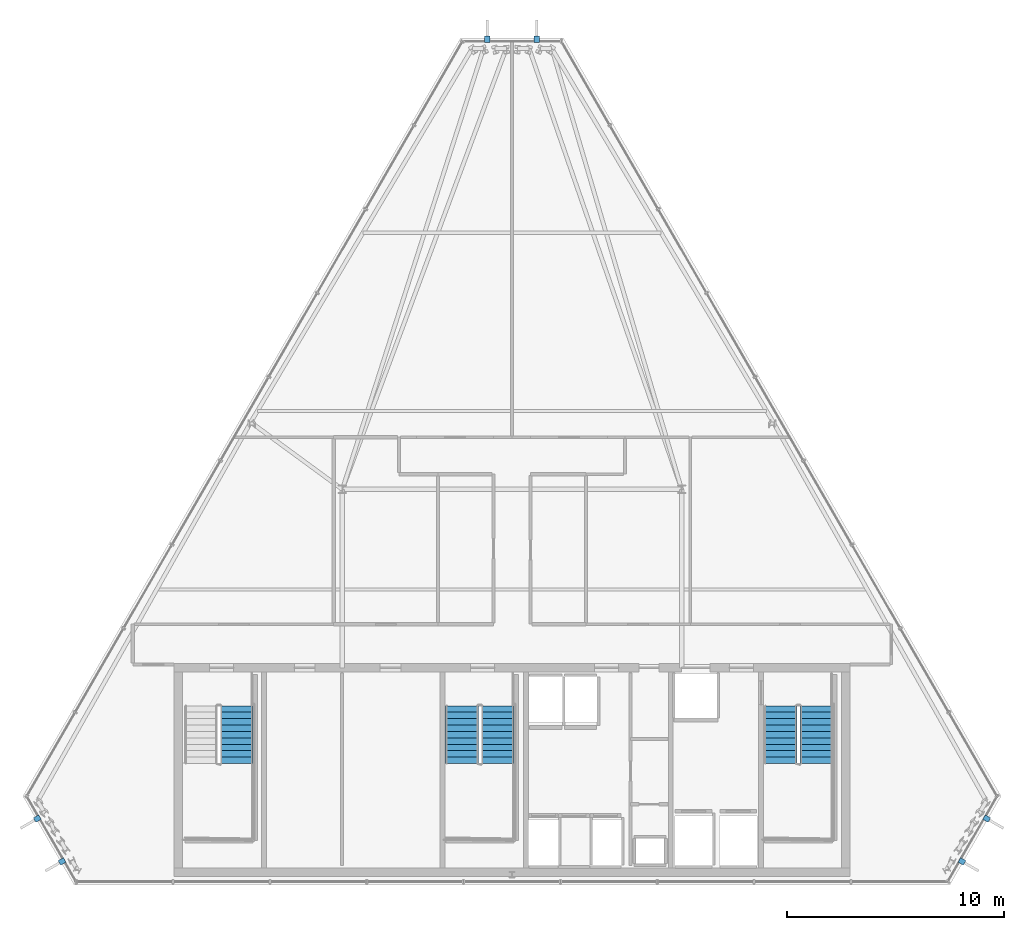
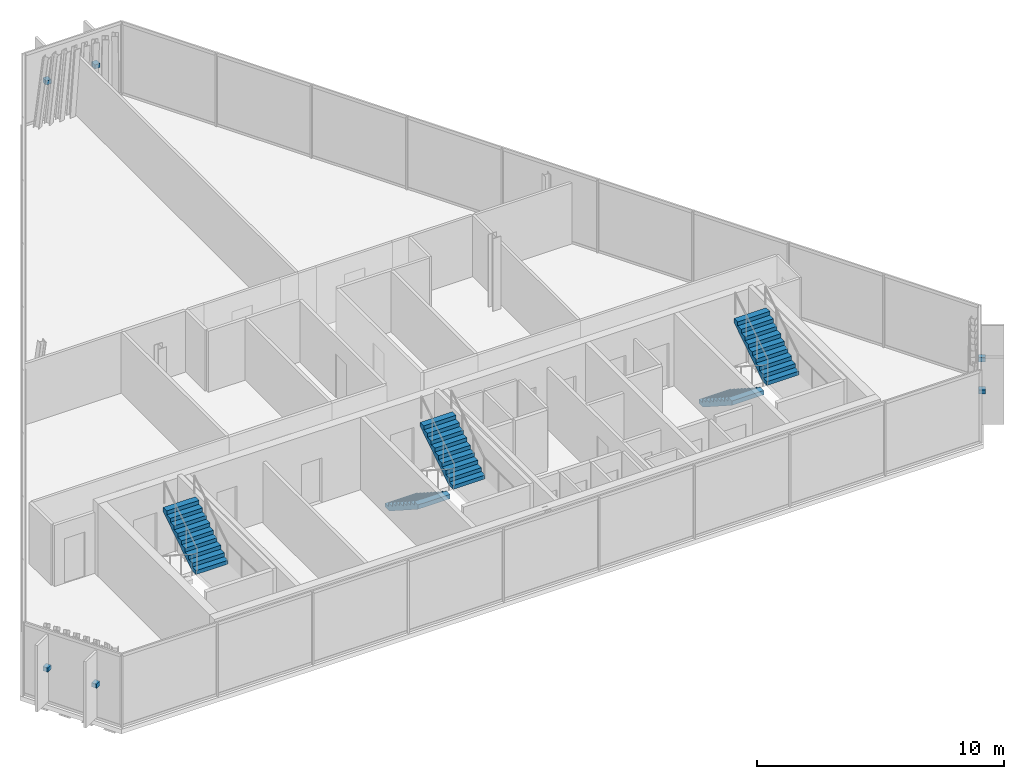
# One storey, part 29 of 32: 6 discrete accessories, 5 stair flights, 3 elements without a shape of their own.
"""IFC4 building model written with IfcOpenShell, lengths in metres."""

from ifc_helpers import new_model, si_unit, direction, frame, origin, origin_2d, place, context, subcontext, project, spatial, polyline, rectangle, outline, extrude, material, type_object, element, aggregate, save


model = new_model("IFC4")

# Units and contexts
model_context = context("Model", 3, precision=1e-05, world=origin(), true_north=direction((0.0, 1.0)))
body_context = subcontext(model_context, "Body", "Model", "MODEL_VIEW")
ifc_project = project(units=[si_unit("LENGTHUNIT", "METRE"), si_unit("AREAUNIT", "SQUARE_METRE"), si_unit("VOLUMEUNIT", "CUBIC_METRE"), si_unit("PLANEANGLEUNIT", "RADIAN"), si_unit("MASSUNIT", "GRAM", prefix="KILO")], contexts=[model_context])

# Site, building, storey
site_placement = place(None, origin())
site = spatial("IfcSite", under=ifc_project, at=site_placement, CompositionType="ELEMENT")
building_placement = place(site_placement, origin())
building = spatial("IfcBuilding", under=site, at=building_placement, Name="Ndaravel Arena Tower", CompositionType="ELEMENT")
storey_placement = place(building_placement, frame((0.0, 0.0, 290.89990234375)))
storey = spatial("IfcBuildingStorey", under=building, at=storey_placement, Name="L71", CompositionType="ELEMENT", Elevation=290.89990234375)

# Stair, stair flight
ifc_material_1 = material(Name="Concrete C40/50", Category="concrete")
stair_type = type_object("IfcStairType", Name="STAIR-CORE-HT", PredefinedType="HALF_TURN_STAIR", material=ifc_material_1)
stair_1_placement = place(storey_placement, origin())
stair_1 = element("IfcStair", 1, at=stair_1_placement, inside=storey, type_object=stair_type, Name="L71 ST-1", PredefinedType="HALF_TURN_STAIR")
ifc_material_2 = material(Name="Concrete C40/50", Category="concrete")
stair_flight_type = type_object("IfcStairFlightType", Name="SFLIGHT-CORE-1680", PredefinedType="STRAIGHT", material=ifc_material_2)
stair_flight_1_placement = place(storey_placement, frame((29.340087890625, 10.594970703125, 1.900146484375), z_axis=(0.0, 0.0, 1.0), x_axis=(0.0, 1.0, 0.0)))
stair_flight_1 = element("IfcStairFlight", 2, at=stair_flight_1_placement, type_object=stair_flight_type, Name="ST-1 flight 2", NumberOfRisers=10, NumberOfTreads=9, PredefinedType="STRAIGHT", RiserHeight=0.19, TreadLength=0.295, context=body_context, shape_type="SweptSolid", body=[
    extrude(outline(polyline([(0.0, 0.0), (0.0, 0.18994140625), (0.294921875, 0.18994140625), (0.294921875, 0.3798828125), (0.590087890625, 0.3798828125), (0.590087890625, 0.570068359375), (0.885009765625, 0.570068359375), (0.885009765625, 0.760009765625), (1.179931640625, 0.760009765625), (1.179931640625, 0.949951171875), (1.47509765625, 0.949951171875), (1.47509765625, 1.139892578125), (1.77001953125, 1.139892578125), (1.77001953125, 1.330078125), (2.06494140625, 1.330078125), (2.06494140625, 1.52001953125), (2.360107421875, 1.52001953125), (2.360107421875, 1.7099609375), (2.655029296875, 1.7099609375), (2.655029296875, 1.89990234375), (2.655029296875, 1.49609375), (0.332275390625, 0.0), (0.0, 0.0)])), frame((0.0, 0.75, 0.0), z_axis=(0.0, -1.0, 0.0), x_axis=(1.0, 0.0, 0.0)), (0.0, 0.0, 1.0), 1.5),
])
aggregate(stair_1, [stair_flight_1])

# Stair, stair flights
stair_2_placement = place(storey_placement, origin())
stair_2 = element("IfcStair", 3, at=stair_2_placement, inside=storey, type_object=stair_type, Name="L71 ST-2", PredefinedType="HALF_TURN_STAIR")
stair_flight_2_placement = place(storey_placement, frame((39.699951171875, 13.25, 0.0), z_axis=(0.0, 0.0, 1.0), x_axis=(0.0, -1.0, 0.0)))
stair_flight_2 = element("IfcStairFlight", 4, at=stair_flight_2_placement, type_object=stair_flight_type, Name="ST-2 flight 1", NumberOfRisers=10, NumberOfTreads=9, PredefinedType="STRAIGHT", RiserHeight=0.19, TreadLength=0.295, context=body_context, shape_type="SweptSolid", body=[
    extrude(outline(polyline([(0.0, 0.0), (0.0, 0.18994140625), (0.294921875, 0.18994140625), (0.294921875, 0.3798828125), (0.590087890625, 0.3798828125), (0.590087890625, 0.570068359375), (0.885009765625, 0.570068359375), (0.885009765625, 0.760009765625), (1.179931640625, 0.760009765625), (1.179931640625, 0.949951171875), (1.47509765625, 0.949951171875), (1.47509765625, 1.139892578125), (1.77001953125, 1.139892578125), (1.77001953125, 1.330078125), (2.06494140625, 1.330078125), (2.06494140625, 1.52001953125), (2.360107421875, 1.52001953125), (2.360107421875, 1.7099609375), (2.655029296875, 1.7099609375), (2.655029296875, 1.89990234375), (2.655029296875, 1.49609375), (0.332275390625, 0.0), (0.0, 0.0)])), frame((0.0, 0.75, 0.0), z_axis=(0.0, -1.0, 0.0), x_axis=(1.0, 0.0, 0.0)), (0.0, 0.0, 1.0), 1.5),
])
stair_flight_3_placement = place(storey_placement, frame((41.340087890625, 10.594970703125, 1.900146484375), z_axis=(0.0, 0.0, 1.0), x_axis=(0.0, 1.0, 0.0)))
stair_flight_3 = element("IfcStairFlight", 5, at=stair_flight_3_placement, type_object=stair_flight_type, Name="ST-2 flight 2", NumberOfRisers=10, NumberOfTreads=9, PredefinedType="STRAIGHT", RiserHeight=0.19, TreadLength=0.295, context=body_context, shape_type="SweptSolid", body=[
    extrude(outline(polyline([(0.0, 0.0), (0.0, 0.18994140625), (0.294921875, 0.18994140625), (0.294921875, 0.3798828125), (0.590087890625, 0.3798828125), (0.590087890625, 0.570068359375), (0.885009765625, 0.570068359375), (0.885009765625, 0.760009765625), (1.179931640625, 0.760009765625), (1.179931640625, 0.949951171875), (1.47509765625, 0.949951171875), (1.47509765625, 1.139892578125), (1.77001953125, 1.139892578125), (1.77001953125, 1.330078125), (2.06494140625, 1.330078125), (2.06494140625, 1.52001953125), (2.360107421875, 1.52001953125), (2.360107421875, 1.7099609375), (2.655029296875, 1.7099609375), (2.655029296875, 1.89990234375), (2.655029296875, 1.49609375), (0.332275390625, 0.0), (0.0, 0.0)])), frame((0.0, 0.75, 0.0), z_axis=(0.0, -1.0, 0.0), x_axis=(1.0, 0.0, 0.0)), (0.0, 0.0, 1.0), 1.5),
])
aggregate(stair_2, [stair_flight_2, stair_flight_3])

stair_3_placement = place(storey_placement, origin())
stair_3 = element("IfcStair", 6, at=stair_3_placement, inside=storey, type_object=stair_type, Name="L71 ST-3", PredefinedType="HALF_TURN_STAIR")
stair_flight_4_placement = place(storey_placement, frame((54.35009765625, 13.25, 0.0), z_axis=(0.0, 0.0, 1.0), x_axis=(0.0, -1.0, 0.0)))
stair_flight_4 = element("IfcStairFlight", 7, at=stair_flight_4_placement, type_object=stair_flight_type, Name="ST-3 flight 1", NumberOfRisers=10, NumberOfTreads=9, PredefinedType="STRAIGHT", RiserHeight=0.19, TreadLength=0.295, context=body_context, shape_type="SweptSolid", body=[
    extrude(outline(polyline([(0.0, 0.0), (0.0, 0.18994140625), (0.294921875, 0.18994140625), (0.294921875, 0.3798828125), (0.590087890625, 0.3798828125), (0.590087890625, 0.570068359375), (0.885009765625, 0.570068359375), (0.885009765625, 0.760009765625), (1.179931640625, 0.760009765625), (1.179931640625, 0.949951171875), (1.47509765625, 0.949951171875), (1.47509765625, 1.139892578125), (1.77001953125, 1.139892578125), (1.77001953125, 1.330078125), (2.06494140625, 1.330078125), (2.06494140625, 1.52001953125), (2.360107421875, 1.52001953125), (2.360107421875, 1.7099609375), (2.655029296875, 1.7099609375), (2.655029296875, 1.89990234375), (2.655029296875, 1.49609375), (0.332275390625, 0.0), (0.0, 0.0)])), frame((0.0, 0.75, 0.0), z_axis=(0.0, -1.0, 0.0), x_axis=(1.0, 0.0, 0.0)), (0.0, 0.0, 1.0), 1.5),
])
stair_flight_5_placement = place(storey_placement, frame((55.989990234375, 10.594970703125, 1.900146484375), z_axis=(0.0, 0.0, 1.0), x_axis=(0.0, 1.0, 0.0)))
stair_flight_5 = element("IfcStairFlight", 8, at=stair_flight_5_placement, type_object=stair_flight_type, Name="ST-3 flight 2", NumberOfRisers=10, NumberOfTreads=9, PredefinedType="STRAIGHT", RiserHeight=0.19, TreadLength=0.295, context=body_context, shape_type="SweptSolid", body=[
    extrude(outline(polyline([(0.0, 0.0), (0.0, 0.18994140625), (0.294921875, 0.18994140625), (0.294921875, 0.3798828125), (0.590087890625, 0.3798828125), (0.590087890625, 0.570068359375), (0.885009765625, 0.570068359375), (0.885009765625, 0.760009765625), (1.179931640625, 0.760009765625), (1.179931640625, 0.949951171875), (1.47509765625, 0.949951171875), (1.47509765625, 1.139892578125), (1.77001953125, 1.139892578125), (1.77001953125, 1.330078125), (2.06494140625, 1.330078125), (2.06494140625, 1.52001953125), (2.360107421875, 1.52001953125), (2.360107421875, 1.7099609375), (2.655029296875, 1.7099609375), (2.655029296875, 1.89990234375), (2.655029296875, 1.49609375), (0.332275390625, 0.0), (0.0, 0.0)])), frame((0.0, 0.75, 0.0), z_axis=(0.0, -1.0, 0.0), x_axis=(1.0, 0.0, 0.0)), (0.0, 0.0, 1.0), 1.5),
])
aggregate(stair_3, [stair_flight_4, stair_flight_5])

# Discrete accessories
ifc_material_3 = material(Name="Steel S355", Category="steel")
discrete_accessory_type = type_object("IfcDiscreteAccessoryType", Name="ACC-BRACKET-FIN", PredefinedType="BRACKET", material=ifc_material_3)
for number, where, z_axis, x_axis, name in (
    (9, (62.689697265625, 6.093994140625, 1.68994140625), (0.0, 0.0, 1.0), (0.866025403784, -0.5, 0.0), "L71 Mazeras Stone Solar Fin E2.1 Bracket"),
    (10, (63.825927734375, 8.06201171875, 1.68994140625), (0.0, 0.0, 1.0), (0.866025403784, -0.5, 0.0), "L71 Mazeras Stone Solar Fin E2.2 Bracket"),
    (11, (43.13623046875, 43.897705078125, 1.68994140625), (0.0, 0.0, 1.0), (0.0, 1.0, 0.0), "L71 Mazeras Stone Solar Fin E4.1 Bracket"),
    (12, (40.86376953125, 43.897705078125, 1.68994140625), (0.0, 0.0, 1.0), (0.0, 1.0, 0.0), "L71 Mazeras Stone Solar Fin E4.2 Bracket"),
    (13, (20.174072265625, 8.06201171875, 1.68994140625), (0.0, 0.0, 1.0), (-0.866025403784, -0.5, 0.0), "L71 Mazeras Stone Solar Fin E6.1 Bracket"),
    (14, (21.310302734375, 6.093994140625, 1.68994140625), (0.0, 0.0, 1.0), (-0.866025403784, -0.5, 0.0), "L71 Mazeras Stone Solar Fin E6.2 Bracket"),
):
    element("IfcDiscreteAccessory", number, at=place(storey_placement, frame(where, z_axis=z_axis, x_axis=x_axis)), inside=storey, type_object=discrete_accessory_type, Name=name, PredefinedType="BRACKET", context=body_context, shape_type="SweptSolid", body=[
        extrude(rectangle(XDim=0.280029296875, YDim=0.239990234375, at=origin_2d()), origin(), (0.0, 0.0, 1.0), 0.199951171875),
    ])

save(model, "model.ifc")
